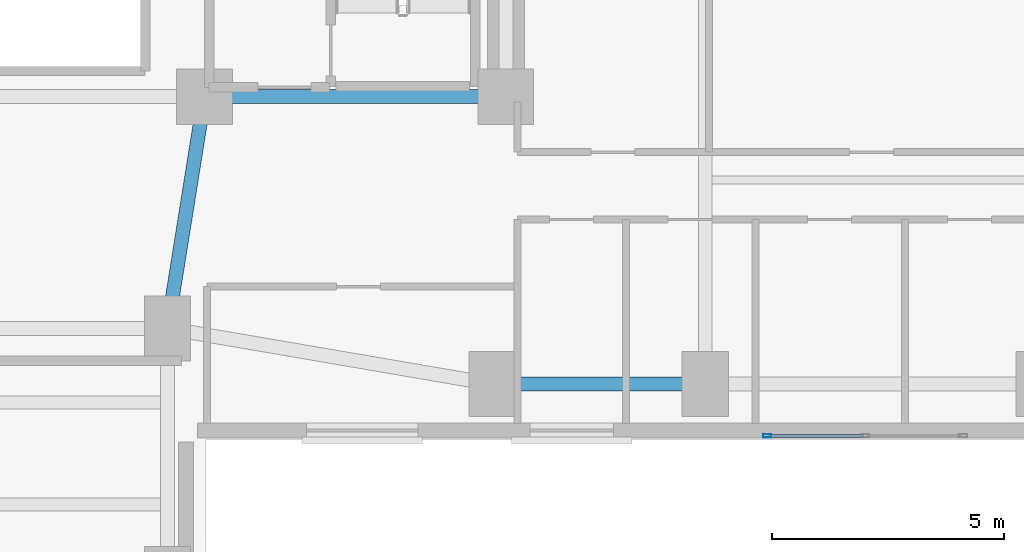
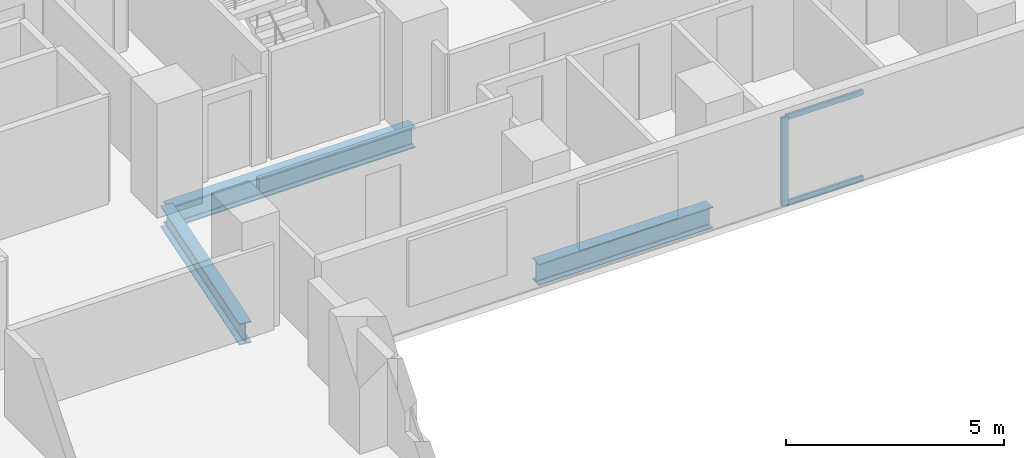
# One storey, part 4 of 18: 3 beams, 3 members, 1 element without a shape of its own.
"""IFC4 building model written with IfcOpenShell, lengths in metres."""

from ifc_helpers import new_model, si_unit, direction, frame, origin, origin_2d, place, context, subcontext, project, spatial, hollow_rectangle, i_section, extrude, material, material_profile, profile_set, type_object, element, aggregate, save


model = new_model("IFC4")

# Units and contexts
model_context = context("Model", 3, precision=1e-05, world=origin(), true_north=direction((0.0, 1.0)))
body_context = subcontext(model_context, "Body", "Model", "MODEL_VIEW")
ifc_project = project(units=[si_unit("LENGTHUNIT", "METRE"), si_unit("AREAUNIT", "SQUARE_METRE"), si_unit("VOLUMEUNIT", "CUBIC_METRE"), si_unit("PLANEANGLEUNIT", "RADIAN"), si_unit("MASSUNIT", "GRAM", prefix="KILO")], contexts=[model_context])

# Site, building, storey
site_placement = place(None, origin())
site = spatial("IfcSite", under=ifc_project, at=site_placement, CompositionType="ELEMENT")
building_placement = place(site_placement, origin())
building = spatial("IfcBuilding", under=site, at=building_placement, Name="Kuzgunbayir Cultural Tower", CompositionType="ELEMENT")
storey_placement = place(building_placement, frame((0.0, 0.0, 53.199951171875)))
storey = spatial("IfcBuildingStorey", under=building, at=storey_placement, Name="L14", CompositionType="ELEMENT", Elevation=53.199951171875)

# Beams
ifc_material_1 = material(Name="Steel S355J2", Category="steel")
ifc_material_profile_1 = material_profile(ifc_material_1, i_section(OverallWidth=0.300048828125, OverallDepth=0.60009765625, WebThickness=0.015380859375, FlangeThickness=0.030029296875, FilletRadius=0.027099609375, at=origin_2d()), Name="HEB 600")
ifc_profile_set_1 = profile_set([ifc_material_profile_1], Name="Steel S355J2")
beam_type_1 = type_object("IfcBeamType", Name="BM-EXT-HEB600", PredefinedType="BEAM", material=ifc_profile_set_1)
beam_1_placement = place(storey_placement, frame((26.60009765625, 27.60009765625, -0.47998046875), z_axis=(1.0, 0.0, 0.0), x_axis=(0.0, 1.0, 0.0)))
element("IfcBeam", 1, at=beam_1_placement, inside=storey, type_object=beam_type_1, Name="L14 Wing B South Girder 1", PredefinedType="BEAM", context=body_context, shape_type="SweptSolid", body=[
    extrude(i_section(OverallWidth=0.300048828125, OverallDepth=0.60009765625, WebThickness=0.015380859375, FlangeThickness=0.030029296875, FilletRadius=0.027099609375, at=origin_2d()), origin(), (0.0, 0.0, 1.0), 4.599853515625),
])
ifc_material_profile_2 = material_profile(ifc_material_1, i_section(OverallWidth=0.300048828125, OverallDepth=0.60009765625, WebThickness=0.015380859375, FlangeThickness=0.030029296875, FilletRadius=0.027099609375, at=origin_2d()), Name="HEB 600")
ifc_profile_set_2 = profile_set([ifc_material_profile_2], Name="Steel S355J2")
beam_type_2 = type_object("IfcBeamType", Name="BM-GIR-HEB600", PredefinedType="BEAM", material=ifc_profile_set_2)
beam_2_placement = place(storey_placement, frame((20.39990234375, 33.800048828125, -0.47998046875), z_axis=(1.0, 0.0, 0.0), x_axis=(0.0, 1.0, 0.0)))
element("IfcBeam", 2, at=beam_2_placement, inside=storey, type_object=beam_type_2, Name="L14 Core South Girder 3", PredefinedType="BEAM", context=body_context, shape_type="SweptSolid", body=[
    extrude(i_section(OverallWidth=0.300048828125, OverallDepth=0.60009765625, WebThickness=0.015380859375, FlangeThickness=0.030029296875, FilletRadius=0.027099609375, at=origin_2d()), origin(), (0.0, 0.0, 1.0), 6.5),
])
beam_3_placement = place(storey_placement, frame((19.60009765625, 28.800048828125, -0.47998046875), z_axis=(0.157952891656, 0.987446648694, 0.0), x_axis=(-0.987446648694, 0.157952891656, 0.0)))
element("IfcBeam", 3, at=beam_3_placement, inside=storey, type_object=beam_type_2, Name="L14 Wing A East Core Floor Girder", PredefinedType="BEAM", context=body_context, shape_type="SweptSolid", body=[
    extrude(i_section(OverallWidth=0.300048828125, OverallDepth=0.60009765625, WebThickness=0.015380859375, FlangeThickness=0.030029296875, FilletRadius=0.027099609375, at=origin_2d()), origin(), (0.0, 0.0, 1.0), 5.0634765625),
])

# Curtain wall, members
ifc_material_2 = material(Name="Anodised Aluminium Framing", Category="aluminium")
curtain_wall_type = type_object("IfcCurtainWallType", Name="CW03-T1-OFFICE", PredefinedType="NOTDEFINED", material=ifc_material_2)
curtain_wall_placement = place(storey_placement, origin())
curtain_wall = element("IfcCurtainWall", 4, at=curtain_wall_placement, inside=storey, type_object=curtain_wall_type, Name="L14 Wing B South Feature Curtain Wall", PredefinedType="NOTDEFINED")
ifc_material_profile_3 = material_profile(ifc_material_2, hollow_rectangle(XDim=0.074951171875, YDim=0.179931640625, WallThickness=0.0048828125, at=origin_2d()), Name="RHS 180x75x5")
ifc_profile_set_3 = profile_set([ifc_material_profile_3], Name="Anodised Aluminium Framing")
member_type_1 = type_object("IfcMemberType", Name="MEM-CW-MULLION-180", PredefinedType="MULLION", material=ifc_profile_set_3)
member_1_placement = place(storey_placement, frame((32.53759765625, 26.47998046875, 0.0), z_axis=(0.0, 0.0, 1.0), x_axis=(0.0, 1.0, 0.0)))
member_1 = element("IfcMember", 5, at=member_1_placement, type_object=member_type_1, Name="CW03 mullion 1", PredefinedType="MULLION", context=body_context, shape_type="SweptSolid", body=[
    extrude(hollow_rectangle(XDim=0.074951171875, YDim=0.179931640625, WallThickness=0.0048828125, at=origin_2d()), origin(), (0.0, 0.0, 1.0), 2.469970703125),
])
ifc_material_profile_4 = material_profile(ifc_material_2, hollow_rectangle(XDim=0.06005859375, YDim=0.14990234375, WallThickness=0.00390625, at=origin_2d()), Name="RHS 150x60x4")
ifc_profile_set_4 = profile_set([ifc_material_profile_4], Name="Anodised Aluminium Framing")
member_type_2 = type_object("IfcMemberType", Name="MEM-CW-TRANSOM-150", PredefinedType="USERDEFINED", material=ifc_profile_set_4)
member_2_placement = place(storey_placement, frame((32.574951171875, 26.47998046875, 0.030029296875), z_axis=(1.0, 0.0, 0.0), x_axis=(0.0, 1.0, 0.0)))
member_2 = element("IfcMember", 6, at=member_2_placement, type_object=member_type_2, Name="CW03 transom 1.1", ObjectType="TRANSOM", PredefinedType="USERDEFINED", context=body_context, shape_type="SweptSolid", body=[
    extrude(hollow_rectangle(XDim=0.06005859375, YDim=0.14990234375, WallThickness=0.00390625, at=origin_2d()), origin(), (0.0, 0.0, 1.0), 2.03759765625),
])
member_3_placement = place(storey_placement, frame((32.574951171875, 26.47998046875, 2.43994140625), z_axis=(1.0, 0.0, 0.0), x_axis=(0.0, 1.0, 0.0)))
member_3 = element("IfcMember", 7, at=member_3_placement, type_object=member_type_2, Name="CW03 transom 1.2", ObjectType="TRANSOM", PredefinedType="USERDEFINED", context=body_context, shape_type="SweptSolid", body=[
    extrude(hollow_rectangle(XDim=0.06005859375, YDim=0.14990234375, WallThickness=0.00390625, at=origin_2d()), origin(), (0.0, 0.0, 1.0), 2.03759765625),
])
aggregate(curtain_wall, [member_1, member_2, member_3])

save(model, "model.ifc")
